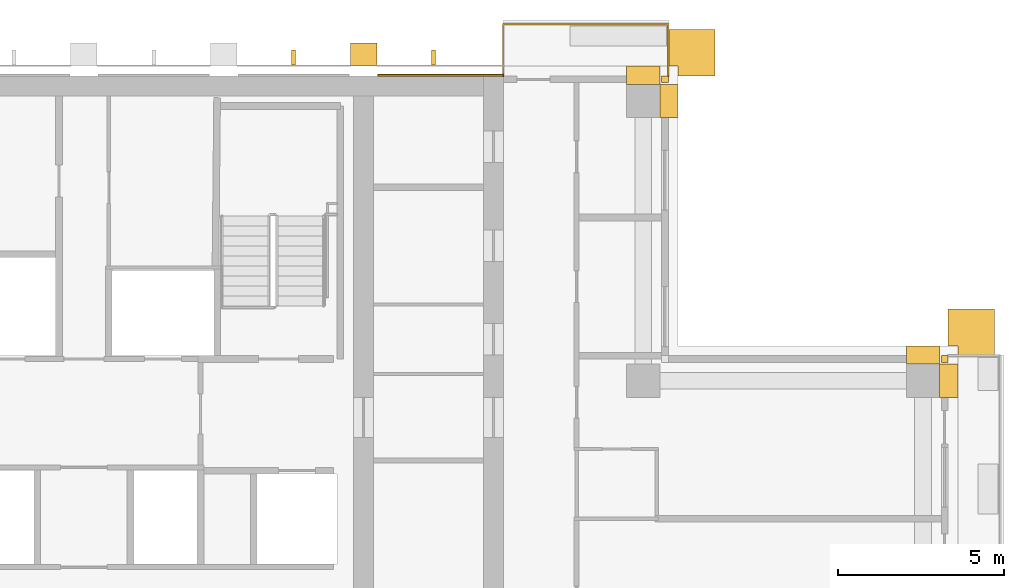
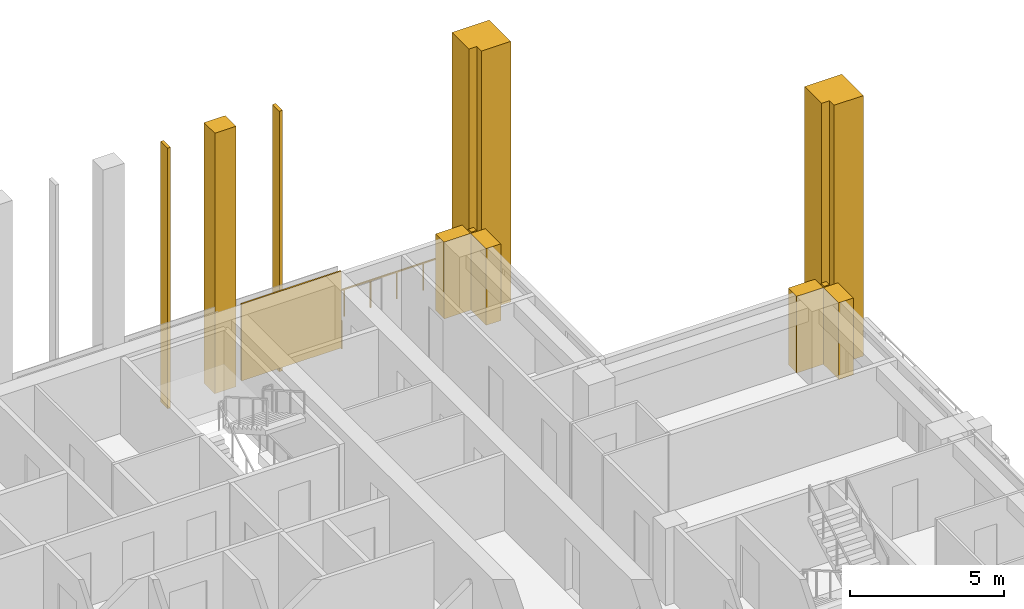
# One storey, part 17 of 17: 12 coverings, 1 railing.
"""IFC4 building model written with IfcOpenShell, lengths in metres."""

from ifc_helpers import new_model, si_unit, direction, frame, origin, origin_2d, place, context, subcontext, project, spatial, polyline, rectangle, outline, extrude, material, layer, layer_set, type_object, element, save


model = new_model("IFC4")

# Units and contexts
model_context = context("Model", 3, precision=1e-05, world=origin(), true_north=direction((0.0, 1.0)))
body_context = subcontext(model_context, "Body", "Model", "MODEL_VIEW")
ifc_project = project(units=[si_unit("LENGTHUNIT", "METRE"), si_unit("AREAUNIT", "SQUARE_METRE"), si_unit("VOLUMEUNIT", "CUBIC_METRE"), si_unit("PLANEANGLEUNIT", "RADIAN"), si_unit("MASSUNIT", "GRAM", prefix="KILO")], contexts=[model_context])

# Site, building, storey
site_placement = place(None, origin())
site = spatial("IfcSite", under=ifc_project, at=site_placement, CompositionType="ELEMENT")
building_placement = place(site_placement, origin())
building = spatial("IfcBuilding", under=site, at=building_placement, Name="Vermilion Ogive Tower", CompositionType="ELEMENT")
storey_placement = place(building_placement, frame((0.0, 0.0, 175.550048828125)))
storey = spatial("IfcBuildingStorey", under=building, at=storey_placement, Name="L45", CompositionType="ELEMENT", Elevation=175.550048828125)

# Railing
ifc_material_1 = material(Name="Stainless steel and glass", Category="steel")
railing_type = type_object("IfcRailingType", Name="Balcony guard", PredefinedType="GUARDRAIL", material=ifc_material_1)
railing_placement = place(storey_placement, frame((17.550048828125, 21.75, -0.0400390625)))
element("IfcRailing", 1, at=railing_placement, inside=storey, type_object=railing_type, Name="Guard N101", PredefinedType="GUARDRAIL", context=body_context, shape_type="SweptSolid", body=[
    extrude(rectangle(XDim=0.048095703125, YDim=0.048095703125, at=origin_2d()), frame((0.0, 0.0, 1.076171875), z_axis=(0.0, 1.0, 0.0), x_axis=(-1.0, 0.0, 0.0)), (0.0, 0.0, 1.0), 1.56396484375),
    extrude(rectangle(XDim=0.048095703125, YDim=0.048095703125, at=origin_2d()), frame((0.0, 1.56396484375, 1.076171875), z_axis=(-1.0, 0.0, 0.0), x_axis=(0.0, -1.0, 0.0)), (0.0, 0.0, 1.0), 4.949951171875),
    extrude(rectangle(XDim=0.048095703125, YDim=0.048095703125, at=origin_2d()), frame((-4.949951171875, 1.56396484375, 1.076171875), z_axis=(0.0, -1.0, 0.0), x_axis=(1.0, 0.0, 0.0)), (0.0, 0.0, 1.0), 1.56396484375),
    extrude(rectangle(XDim=0.0419921875, YDim=0.0419921875, at=origin_2d()), origin(), (0.0, 0.0, 1.0), 1.052001953125),
    extrude(rectangle(XDim=0.0419921875, YDim=0.0419921875, at=origin_2d()), frame((0.0, 0.781982421875, 0.0)), (0.0, 0.0, 1.0), 1.052001953125),
    extrude(rectangle(XDim=0.0419921875, YDim=0.0419921875, at=origin_2d()), frame((0.0, 1.56396484375, 0.0)), (0.0, 0.0, 1.0), 1.052001953125),
    extrude(rectangle(XDim=0.0419921875, YDim=0.0419921875, at=origin_2d()), frame((-0.989990234375, 1.56396484375, 0.0)), (0.0, 0.0, 1.0), 1.052001953125),
    extrude(rectangle(XDim=0.0419921875, YDim=0.0419921875, at=origin_2d()), frame((-1.97998046875, 1.56396484375, 0.0)), (0.0, 0.0, 1.0), 1.052001953125),
    extrude(rectangle(XDim=0.0419921875, YDim=0.0419921875, at=origin_2d()), frame((-2.969970703125, 1.56396484375, 0.0)), (0.0, 0.0, 1.0), 1.052001953125),
    extrude(rectangle(XDim=0.0419921875, YDim=0.0419921875, at=origin_2d()), frame((-3.9599609375, 1.56396484375, 0.0)), (0.0, 0.0, 1.0), 1.052001953125),
    extrude(rectangle(XDim=0.0419921875, YDim=0.0419921875, at=origin_2d()), frame((-4.949951171875, 1.56396484375, 0.0)), (0.0, 0.0, 1.0), 1.052001953125),
    extrude(rectangle(XDim=0.0419921875, YDim=0.0419921875, at=origin_2d()), frame((-4.949951171875, 0.781982421875, 0.0)), (0.0, 0.0, 1.0), 1.052001953125),
    extrude(rectangle(XDim=0.0419921875, YDim=0.0419921875, at=origin_2d()), frame((-4.949951171875, 0.0, 0.0)), (0.0, 0.0, 1.0), 1.052001953125),
])

# Coverings
ifc_material_2 = material(Name="Glazed ceramic screen")
ifc_layer = layer(ifc_material_2, 0.14990234375)
ifc_layer_set = layer_set([ifc_layer], Name="Ceramic solar screen fin")
covering_type_1 = type_object("IfcCoveringType", Name="Ceramic solar screen fin", PredefinedType="CLADDING", material=ifc_layer_set)
covering_1_placement = place(storey_placement, frame((0.0, 0.0, -0.400146484375)))
element("IfcCovering", 2, at=covering_1_placement, inside=storey, type_object=covering_type_1, Name="Solar screen blade N5", PredefinedType="CLADDING", context=body_context, shape_type="SweptSolid", body=[
    extrude(outline(polyline([(6.239990234375, 22.08203125), (6.360107421875, 22.08203125), (6.360107421875, 22.531982421875), (6.239990234375, 22.531982421875), (6.239990234375, 22.08203125)])), origin(), (0.0, 0.0, 1.0), 10.35009765625),
])
covering_2_placement = place(storey_placement, frame((0.0, 0.0, -0.400146484375)))
element("IfcCovering", 3, at=covering_2_placement, inside=storey, type_object=covering_type_1, Name="Solar screen blade N6", PredefinedType="CLADDING", context=body_context, shape_type="SweptSolid", body=[
    extrude(outline(polyline([(10.43994140625, 22.08203125), (10.56005859375, 22.08203125), (10.56005859375, 22.531982421875), (10.43994140625, 22.531982421875), (10.43994140625, 22.08203125)])), origin(), (0.0, 0.0, 1.0), 10.35009765625),
])
ifc_material_3 = material(Name="Stone cladding", Category="masonry")
covering_type_2 = type_object("IfcCoveringType", Name="Stone buttress pier", PredefinedType="CLADDING", material=ifc_material_3)
covering_3_placement = place(storey_placement, frame((0.0, 0.0, -0.400146484375)))
element("IfcCovering", 4, at=covering_3_placement, inside=storey, type_object=covering_type_2, Name="Stone buttress pier N5", PredefinedType="CLADDING", context=body_context, shape_type="SweptSolid", body=[
    extrude(outline(polyline([(8.800048828125, 22.75), (8.800048828125, 22.050048828125), (8.0, 22.050048828125), (8.0, 22.75), (8.800048828125, 22.75)])), origin(), (0.0, 0.0, 1.0), 10.35009765625),
])
ifc_material_4 = material(Name="Stone cladding", Category="masonry")
covering_type_3 = type_object("IfcCoveringType", Name="Stone cladding panel", PredefinedType="CLADDING", material=ifc_material_4)
covering_4_placement = place(storey_placement, origin())
element("IfcCovering", 5, at=covering_4_placement, inside=storey, type_object=covering_type_3, Name="Stone cladding panel N6", PredefinedType="CLADDING", context=body_context, shape_type="SweptSolid", body=[
    extrude(outline(polyline([(8.830078125, 21.75), (12.590087890625, 21.75), (12.590087890625, 21.81005859375), (8.830078125, 21.81005859375), (8.830078125, 21.75)])), origin(), (0.0, 0.0, 1.0), 3.050048828125),
])
ifc_material_5 = material(Name="Stone cladding", Category="masonry")
covering_type_4 = type_object("IfcCoveringType", Name="Stone corner buttress", PredefinedType="CLADDING", material=ifc_material_5)
covering_5_placement = place(storey_placement, frame((0.0, 0.0, -0.400146484375)))
element("IfcCovering", 6, at=covering_5_placement, inside=storey, type_object=covering_type_4, Name="Stone corner buttress X31", PredefinedType="CLADDING", context=body_context, shape_type="SweptSolid", body=[
    extrude(outline(polyline([(27.35009765625, 13.35009765625), (26.25, 13.35009765625), (26.25, 13.64990234375), (25.949951171875, 13.64990234375), (25.949951171875, 14.75), (27.35009765625, 14.75), (27.35009765625, 13.35009765625)])), origin(), (0.0, 0.0, 1.0), 10.35009765625),
])
covering_6_placement = place(storey_placement, frame((0.0, 0.0, -0.400146484375)))
element("IfcCovering", 7, at=covering_6_placement, inside=storey, type_object=covering_type_4, Name="Stone corner buttress N11", PredefinedType="CLADDING", context=body_context, shape_type="SweptSolid", body=[
    extrude(outline(polyline([(17.85009765625, 22.050048828125), (17.550048828125, 22.050048828125), (17.550048828125, 23.14990234375), (18.949951171875, 23.14990234375), (18.949951171875, 21.75), (17.85009765625, 21.75), (17.85009765625, 22.050048828125)])), origin(), (0.0, 0.0, 1.0), 10.35009765625),
])
ifc_material_6 = material(Name="Stone cladding", Category="masonry")
covering_type_5 = type_object("IfcCoveringType", Name="Stone pier", PredefinedType="CLADDING", material=ifc_material_6)
covering_7_placement = place(storey_placement, origin())
element("IfcCovering", 8, at=covering_7_placement, inside=storey, type_object=covering_type_5, Name="Stone corner pier EE1", PredefinedType="CLADDING", context=body_context, shape_type="SweptSolid", body=[
    extrude(outline(polyline([(25.75, 13.14990234375), (25.75, 13.35009765625), (25.949951171875, 13.35009765625), (25.949951171875, 13.14990234375), (25.75, 13.14990234375)])), origin(), (0.0, 0.0, 1.0), 3.050048828125),
])
covering_8_placement = place(storey_placement, origin())
element("IfcCovering", 9, at=covering_8_placement, inside=storey, type_object=covering_type_5, Name="Stone corner pier X4E1", PredefinedType="CLADDING", context=body_context, shape_type="SweptSolid", body=[
    extrude(outline(polyline([(17.35009765625, 21.550048828125), (17.35009765625, 21.75), (17.550048828125, 21.75), (17.550048828125, 21.550048828125), (17.35009765625, 21.550048828125)])), origin(), (0.0, 0.0, 1.0), 3.050048828125),
])
covering_9_placement = place(storey_placement, origin())
element("IfcCovering", 10, at=covering_9_placement, inside=storey, type_object=covering_type_5, Name="Stone pier P+0168+210X4", PredefinedType="CLADDING", context=body_context, shape_type="SweptSolid", body=[
    extrude(outline(polyline([(17.85009765625, 21.5), (17.85009765625, 20.5), (17.300048828125, 20.5), (17.300048828125, 21.5), (17.85009765625, 21.5)])), origin(), (0.0, 0.0, 1.0), 3.050048828125),
])
covering_10_placement = place(storey_placement, origin())
element("IfcCovering", 11, at=covering_10_placement, inside=storey, type_object=covering_type_5, Name="Stone pier P+0168+210N1", PredefinedType="CLADDING", context=body_context, shape_type="SweptSolid", body=[
    extrude(outline(polyline([(17.300048828125, 22.050048828125), (17.300048828125, 21.5), (16.300048828125, 21.5), (16.300048828125, 22.050048828125), (17.300048828125, 22.050048828125)])), origin(), (0.0, 0.0, 1.0), 3.050048828125),
])
covering_11_placement = place(storey_placement, origin())
element("IfcCovering", 12, at=covering_11_placement, inside=storey, type_object=covering_type_5, Name="Stone pier P+0252+126E", PredefinedType="CLADDING", context=body_context, shape_type="SweptSolid", body=[
    extrude(outline(polyline([(26.25, 13.10009765625), (26.25, 12.10009765625), (25.699951171875, 12.10009765625), (25.699951171875, 13.10009765625), (26.25, 13.10009765625)])), origin(), (0.0, 0.0, 1.0), 3.050048828125),
])
covering_12_placement = place(storey_placement, origin())
element("IfcCovering", 13, at=covering_12_placement, inside=storey, type_object=covering_type_5, Name="Stone pier P+0252+126X3", PredefinedType="CLADDING", context=body_context, shape_type="SweptSolid", body=[
    extrude(outline(polyline([(25.699951171875, 13.64990234375), (25.699951171875, 13.10009765625), (24.699951171875, 13.10009765625), (24.699951171875, 13.64990234375), (25.699951171875, 13.64990234375)])), origin(), (0.0, 0.0, 1.0), 3.050048828125),
])

save(model, "model.ifc")
